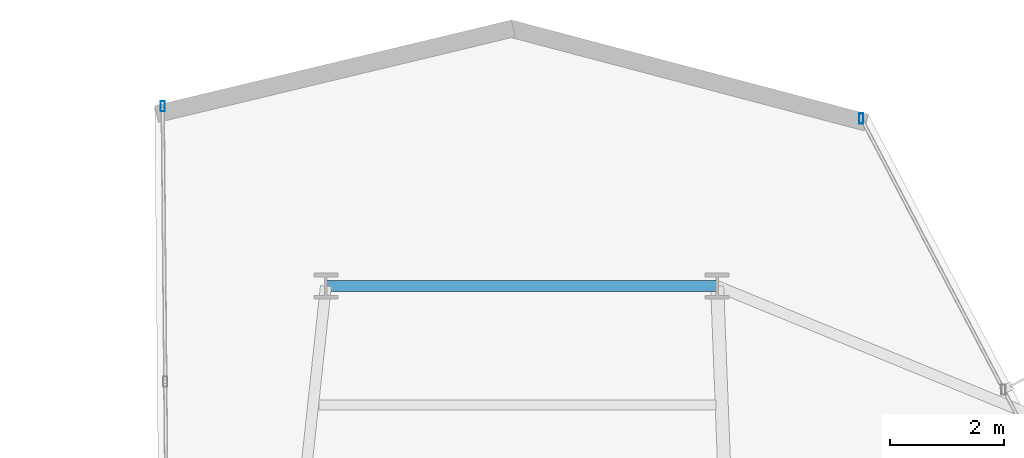
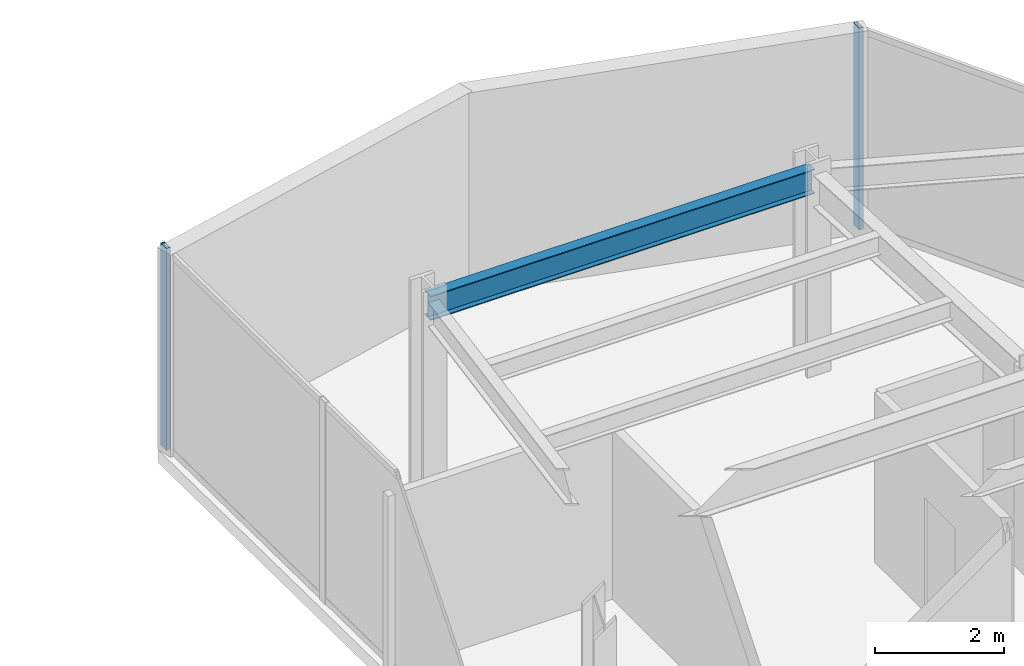
# One storey, part 18 of 25: 2 members, 1 beam, 2 elements without a shape of their own.
"""IFC4 building model written with IfcOpenShell, lengths in metres."""

from ifc_helpers import new_model, si_unit, direction, frame, origin, origin_2d, place, context, subcontext, project, spatial, hollow_rectangle, i_section, extrude, material, layer, layer_set, material_profile, profile_set, type_object, element, aggregate, save


model = new_model("IFC4")

# Units and contexts
model_context = context("Model", 3, precision=1e-05, world=origin(), true_north=direction((0.0, 1.0)))
body_context = subcontext(model_context, "Body", "Model", "MODEL_VIEW")
ifc_project = project(units=[si_unit("LENGTHUNIT", "METRE"), si_unit("AREAUNIT", "SQUARE_METRE"), si_unit("VOLUMEUNIT", "CUBIC_METRE"), si_unit("PLANEANGLEUNIT", "RADIAN"), si_unit("MASSUNIT", "GRAM", prefix="KILO")], contexts=[model_context])

# Site, building, storey
site_placement = place(None, origin())
site = spatial("IfcSite", under=ifc_project, at=site_placement, CompositionType="ELEMENT")
building_placement = place(site_placement, origin())
building = spatial("IfcBuilding", under=site, at=building_placement, Name="Veymaron Broadcast Tower", CompositionType="ELEMENT")
storey_placement = place(building_placement, frame((0.0, 0.0, 141.14990234375)))
storey = spatial("IfcBuildingStorey", under=building, at=storey_placement, Name="L32", CompositionType="ELEMENT", Elevation=141.14990234375)

# Beam
ifc_material_1 = material(Name="Structural steel ASTM A992 Gr 50", Category="steel")
ifc_material_profile_1 = material_profile(ifc_material_1, i_section(OverallWidth=0.19091796875, OverallDepth=0.4599609375, WebThickness=0.010009765625, FlangeThickness=0.01611328125, at=origin_2d()), Name="W460X82")
ifc_profile_set_1 = profile_set([ifc_material_profile_1], Name="Structural steel ASTM A992 Gr 50")
beam_type = type_object("IfcBeamType", Name="BM-SP1", PredefinedType="SPANDREL", material=ifc_profile_set_1)
beam_placement = place(storey_placement, frame((31.89990234375, 38.5, 3.580078125), z_axis=(1.0, 0.0, 0.0), x_axis=(0.0, 1.0, 0.0)))
element("IfcBeam", 1, at=beam_placement, inside=storey, type_object=beam_type, Name="L32 primary structural floor girder", PredefinedType="SPANDREL", context=body_context, shape_type="SweptSolid", body=[
    extrude(i_section(OverallWidth=0.19091796875, OverallDepth=0.4599609375, WebThickness=0.010009765625, FlangeThickness=0.01611328125, at=origin_2d()), origin(), (0.0, 0.0, 1.0), 6.85009765625),
])

# Curtain wall, member
ifc_material_2 = material(Name="Anodised aluminium AA 6063-T6 and laminated low-E dark glass", Category="aluminium")
ifc_layer = layer(ifc_material_2, 0.179931640625)
ifc_layer_set = layer_set([ifc_layer], Name="Anodised aluminium AA 6063-T6 and laminated low-E dark glass")
curtain_wall_type = type_object("IfcCurtainWallType", Name="CW-SYS-03", PredefinedType="NOTDEFINED", material=ifc_layer_set)
curtain_wall_1_placement = place(storey_placement, origin())
curtain_wall_1 = element("IfcCurtainWall", 2, at=curtain_wall_1_placement, inside=storey, type_object=curtain_wall_type, Name="L32 dark-glass curtain wall CW-L32-E5-1", PredefinedType="NOTDEFINED")
ifc_material_3 = material(Name="Anodised aluminium AA 6063-T6", Category="aluminium")
ifc_material_profile_2 = material_profile(ifc_material_3, hollow_rectangle(XDim=0.074951171875, YDim=0.179931640625, WallThickness=0.0048828125, at=origin_2d()), Name="AL180X75X5")
ifc_profile_set_2 = profile_set([ifc_material_profile_2], Name="Anodised aluminium AA 6063-T6")
member_type = type_object("IfcMemberType", Name="CW-MUL-02", PredefinedType="MULLION", material=ifc_profile_set_2)
member_1_placement = place(storey_placement, frame((41.273681640625, 41.43505859375, 0.0), z_axis=(0.0, 0.0, 1.0), x_axis=(1.0, 0.0, 0.0)))
member_1 = element("IfcMember", 3, at=member_1_placement, type_object=member_type, Name="CW-L32-E5-1 mullion 2", PredefinedType="MULLION", context=body_context, shape_type="SweptSolid", body=[
    extrude(hollow_rectangle(XDim=0.074951171875, YDim=0.179931640625, WallThickness=0.0048828125, at=origin_2d()), origin(), (0.0, 0.0, 1.0), 3.81005859375),
])
aggregate(curtain_wall_1, [member_1])

curtain_wall_2_placement = place(storey_placement, origin())
curtain_wall_2 = element("IfcCurtainWall", 4, at=curtain_wall_2_placement, inside=storey, type_object=curtain_wall_type, Name="L32 dark-glass curtain wall CW-L32-E8-1", PredefinedType="NOTDEFINED")
member_2_placement = place(storey_placement, frame((29.042236328125, 41.6513671875, 0.0), z_axis=(0.0, 0.0, 1.0), x_axis=(1.0, 0.0, 0.0)))
member_2 = element("IfcMember", 5, at=member_2_placement, type_object=member_type, Name="CW-L32-E8-1 mullion 0", PredefinedType="MULLION", context=body_context, shape_type="SweptSolid", body=[
    extrude(hollow_rectangle(XDim=0.074951171875, YDim=0.179931640625, WallThickness=0.0048828125, at=origin_2d()), origin(), (0.0, 0.0, 1.0), 3.81005859375),
])
aggregate(curtain_wall_2, [member_2])

save(model, "model.ifc")
